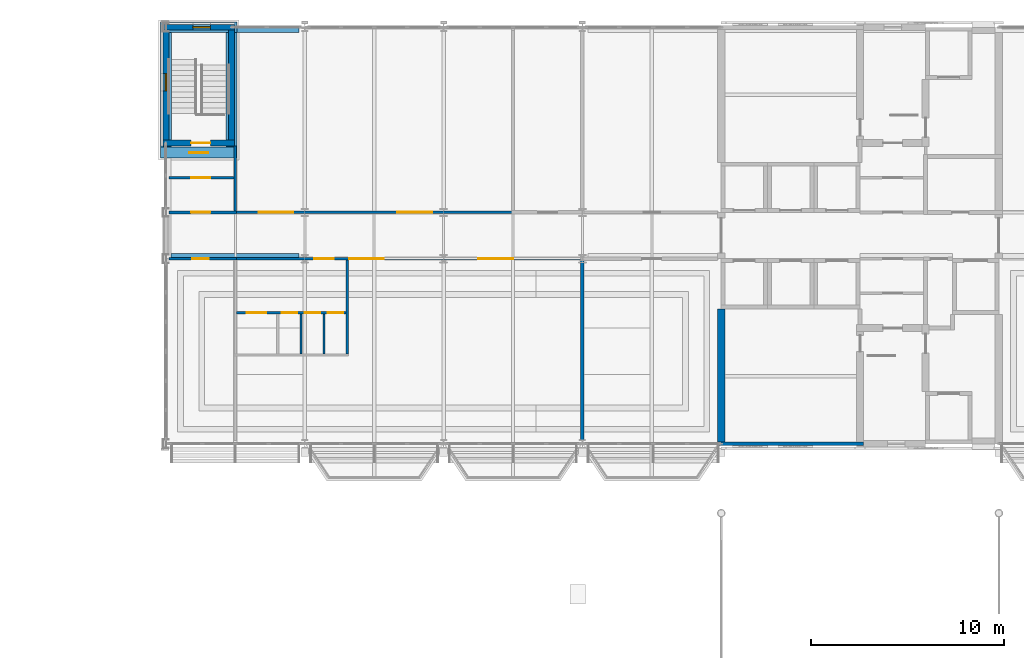
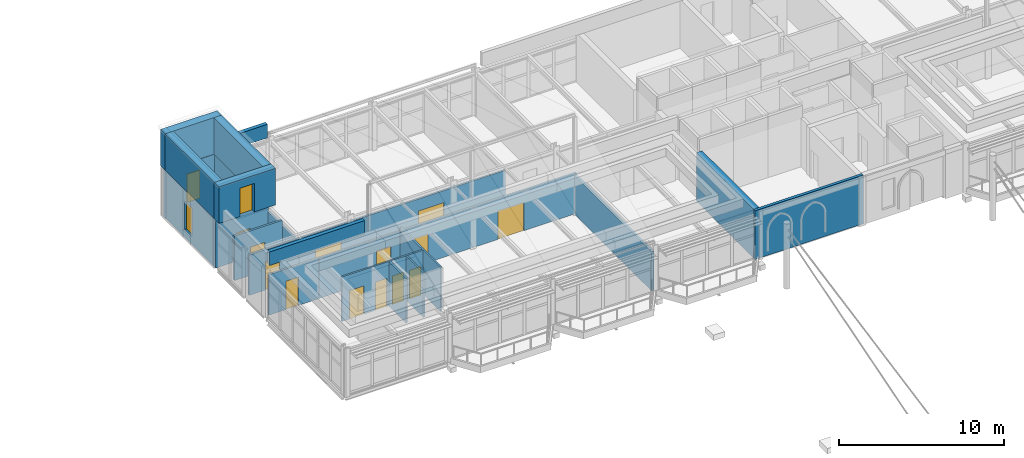
# One storey, part 49 of 68: 24 walls, 14 doors, 2 windows, 16 openings.
"""IFC4 building model written with IfcOpenShell, lengths in metres."""

from ifc_helpers import new_model, si_unit, direction, frame, frame_2d, origin, place, context, subcontext, project, spatial, rectangle, extrude, material, layer, layer_set, type_object, element, fill, save


model = new_model("IFC4")

# Units and contexts
model_context = context("Model", 3, precision=1e-05, world=origin(), true_north=direction((0.0, 1.0)))
body_context = subcontext(model_context, "Body", "Model", "MODEL_VIEW")
ifc_project = project(units=[si_unit("LENGTHUNIT", "METRE"), si_unit("AREAUNIT", "SQUARE_METRE"), si_unit("VOLUMEUNIT", "CUBIC_METRE"), si_unit("PLANEANGLEUNIT", "RADIAN"), si_unit("MASSUNIT", "GRAM", prefix="KILO")], contexts=[model_context])

# Site, building, storey
site_placement = place(None, origin())
site = spatial("IfcSite", under=ifc_project, at=site_placement, CompositionType="ELEMENT")
building_placement = place(site_placement, origin())
building = spatial("IfcBuilding", under=site, at=building_placement, Name="Kupolbacken Congress Centre", CompositionType="ELEMENT")
storey_placement = place(building_placement, frame((0.0, 0.0, 25.199951171875)))
storey = spatial("IfcBuildingStorey", under=building, at=storey_placement, Name="L07", CompositionType="ELEMENT", Elevation=25.199951171875)

# Wall, opening, door
ifc_material_1 = material(Name="Concrete C40/50", Category="concrete")
ifc_layer_1 = layer(ifc_material_1, 0.199951171875)
ifc_material_2 = material(Name="Mineral wool", Category="insulation")
ifc_layer_2 = layer(ifc_material_2, 0.199951171875)
ifc_material_3 = material(Name="Air cavity", Category="air")
ifc_layer_3 = layer(ifc_material_3, 0.0400390625, ventilated=True)
ifc_material_4 = material(Name="Limestone", Category="masonry")
ifc_layer_4 = layer(ifc_material_4, 0.1201171875)
ifc_layer_set_1 = layer_set([ifc_layer_1, ifc_layer_2, ifc_layer_3, ifc_layer_4], Name="Concrete C40/50 / Mineral wool / Limestone")
wall_type_1 = type_object("IfcWallType", Name="EW11 stair head-house wall 560", PredefinedType="SOLIDWALL", material=ifc_layer_set_1)
wall_1_placement = place(storey_placement, frame((64.52001953125, 137.5, 3.719970703125), z_axis=(0.0, 0.0, 1.0), x_axis=(1.0, 0.0, 0.0)))
wall_1 = element("IfcWall", 1, at=wall_1_placement, inside=storey, type_object=wall_type_1, Name="Stair head-house wall TS3", PredefinedType="SOLIDWALL", context=body_context, shape_type="SweptSolid", body=[
    extrude(rectangle(XDim=3.9599609375, YDim=0.56005859375, at=frame_2d((1.97998046875, 0.0))), origin(), (0.0, 0.0, 1.0), 2.7001953125),
])
opening_1_placement = place(wall_1_placement, frame((1.47998046875, 0.0, 0.0)))
opening_1 = element("IfcOpeningElement", 2, at=opening_1_placement, cuts=wall_1, Name="Opening TS3.R01", PredefinedType="OPENING", context=body_context, shape_type="SweptSolid", body=[
    extrude(rectangle(XDim=1.0, YDim=2.10009765625, at=frame_2d((0.5, 1.050048828125))), frame((0.0, 0.2900390625, 0.0), z_axis=(0.0, -1.0, 0.0), x_axis=(1.0, 0.0, 0.0)), (0.0, 0.0, 1.0), 0.580078125),
])
ifc_material_5 = material(Name="Steel fire door leaf", Category="steel")
door_type_1 = type_object("IfcDoorType", Name="D5 stair door 1000x2100", OperationType="SINGLE_SWING_LEFT", PredefinedType="DOOR", material=ifc_material_5)
door_1_placement = place(opening_1_placement, frame((1.0, 0.0, 0.0), z_axis=(0.0, 0.0, 1.0), x_axis=(-1.0, 0.0, 0.0)))
door_1 = element("IfcDoor", 3, at=door_1_placement, inside=storey, type_object=door_type_1, Name="Stair TS3 roof access door", OperationType="SINGLE_SWING_LEFT", OverallHeight=2.10009765625, OverallWidth=1.0, PredefinedType="DOOR", context=body_context, shape_type="SweptSolid", body=[
    extrude(rectangle(XDim=1.0, YDim=2.10009765625, at=frame_2d((0.5, 1.050048828125))), frame((0.0, 0.02490234375, 0.0), z_axis=(0.0, -1.0, 0.0), x_axis=(1.0, 0.0, 0.0)), (0.0, 0.0, 1.0), 0.050048828125),
])
fill(opening_1, door_1)

# Walls
wall_2_placement = place(storey_placement, frame((64.52001953125, 144.0, 3.719970703125), z_axis=(0.0, 0.0, 1.0), x_axis=(1.0, 0.0, 0.0)))
element("IfcWall", 4, at=wall_2_placement, inside=storey, type_object=wall_type_1, Name="Stair head-house wall TS3", PredefinedType="SOLIDWALL", context=body_context, shape_type="SweptSolid", body=[
    extrude(rectangle(XDim=3.9599609375, YDim=0.56005859375, at=frame_2d((1.97998046875, 0.0))), origin(), (0.0, 0.0, 1.0), 2.7001953125),
])
for number, where, z_axis, x_axis, name in (
    (5, (64.800048828125, 137.780029296875, 3.719970703125), (0.0, 0.0, 1.0), (0.0, 1.0, 0.0), "Stair head-house wall TS3"),
    (6, (68.199951171875, 137.780029296875, 3.719970703125), (0.0, 0.0, 1.0), (0.0, 1.0, 0.0), "Stair head-house wall TS3"),
):
    element("IfcWall", number, at=place(storey_placement, frame(where, z_axis=z_axis, x_axis=x_axis)), inside=storey, type_object=wall_type_1, Name=name, PredefinedType="SOLIDWALL", context=body_context, shape_type="SweptSolid", body=[
        extrude(rectangle(XDim=5.93994140625, YDim=0.56005859375, at=frame_2d((2.969970703125, 0.0))), origin(), (0.0, 0.0, 1.0), 2.7001953125),
    ])

# Wall, openings, doors
ifc_material_6 = material(Name="Gypsum board", Category="drywall")
ifc_layer_5 = layer(ifc_material_6, 0.114990234375)
ifc_layer_set_2 = layer_set([ifc_layer_5], Name="Gypsum board")
wall_type_2 = type_object("IfcWallType", Name="P04 partition 115", PredefinedType="PARTITIONING", material=ifc_layer_set_2)
wall_3_placement = place(storey_placement, frame((68.45751953125, 129.199951171875, 0.0), z_axis=(0.0, 0.0, 1.0), x_axis=(1.0, 0.0, 0.0)))
wall_3 = element("IfcWall", 7, at=wall_3_placement, inside=storey, type_object=wall_type_2, Name="T/wall/L07/x/12920/6840", PredefinedType="PARTITIONING", context=body_context, shape_type="SweptSolid", body=[
    extrude(rectangle(XDim=5.68505859375, YDim=0.114990234375, at=frame_2d((2.842529296875, 0.0))), origin(), (0.0, 0.0, 1.0), 3.2900390625),
])
opening_2_placement = place(wall_3_placement, frame((0.54248046875, 0.0, 0.0)))
opening_2 = element("IfcOpeningElement", 8, at=opening_2_placement, cuts=wall_3, Name="Opening D39", PredefinedType="OPENING", context=body_context, shape_type="SweptSolid", body=[
    extrude(rectangle(XDim=1.0, YDim=2.10009765625, at=frame_2d((0.5, 1.050048828125))), frame((0.0, 0.0673828125, 0.0), z_axis=(0.0, -1.0, 0.0), x_axis=(1.0, 0.0, 0.0)), (0.0, 0.0, 1.0), 0.135009765625),
])
opening_3_placement = place(wall_3_placement, frame((2.342529296875, 0.0, 0.0)))
opening_3 = element("IfcOpeningElement", 9, at=opening_3_placement, cuts=wall_3, Name="Opening D2", PredefinedType="OPENING", context=body_context, shape_type="SweptSolid", body=[
    extrude(rectangle(XDim=0.800048828125, YDim=2.10009765625, at=frame_2d((0.39990234375, 1.050048828125))), frame((0.0, 0.0673828125, 0.0), z_axis=(0.0, -1.0, 0.0), x_axis=(1.0, 0.0, 0.0)), (0.0, 0.0, 1.0), 0.135009765625),
])
opening_4_placement = place(wall_3_placement, frame((3.54248046875, 0.0, 0.0)))
opening_4 = element("IfcOpeningElement", 10, at=opening_4_placement, cuts=wall_3, Name="Opening D2", PredefinedType="OPENING", context=body_context, shape_type="SweptSolid", body=[
    extrude(rectangle(XDim=0.800048828125, YDim=2.10009765625, at=frame_2d((0.39990234375, 1.050048828125))), frame((0.0, 0.0673828125, 0.0), z_axis=(0.0, -1.0, 0.0), x_axis=(1.0, 0.0, 0.0)), (0.0, 0.0, 1.0), 0.135009765625),
])
opening_5_placement = place(wall_3_placement, frame((4.742431640625, 0.0, 0.0)))
opening_5 = element("IfcOpeningElement", 11, at=opening_5_placement, cuts=wall_3, Name="Opening D2", PredefinedType="OPENING", context=body_context, shape_type="SweptSolid", body=[
    extrude(rectangle(XDim=0.800048828125, YDim=2.10009765625, at=frame_2d((0.39990234375, 1.050048828125))), frame((0.0, 0.0673828125, 0.0), z_axis=(0.0, -1.0, 0.0), x_axis=(1.0, 0.0, 0.0)), (0.0, 0.0, 1.0), 0.135009765625),
])
ifc_material_7 = material(Name="Timber door leaf", Category="wood")
door_type_2 = type_object("IfcDoorType", Name="D2 door 800x2100", OperationType="SINGLE_SWING_LEFT", PredefinedType="DOOR", material=ifc_material_7)
door_2_placement = place(opening_3_placement, frame((0.800048828125, 0.0, 0.0), z_axis=(0.0, 0.0, 1.0), x_axis=(-1.0, 0.0, 0.0)))
door_2 = element("IfcDoor", 12, at=door_2_placement, inside=storey, type_object=door_type_2, Name="T/wall/L07/x/12920/6840/D-WT-DC1", OperationType="SINGLE_SWING_LEFT", OverallHeight=2.10009765625, OverallWidth=0.800048828125, PredefinedType="DOOR", context=body_context, shape_type="SweptSolid", body=[
    extrude(rectangle(XDim=0.800048828125, YDim=2.10009765625, at=frame_2d((0.39990234375, 1.050048828125))), frame((0.0, 0.02490234375, 0.0), z_axis=(0.0, -1.0, 0.0), x_axis=(1.0, 0.0, 0.0)), (0.0, 0.0, 1.0), 0.050048828125),
])
fill(opening_3, door_2)
door_3_placement = place(opening_4_placement, frame((0.800048828125, 0.0, 0.0), z_axis=(0.0, 0.0, 1.0), x_axis=(-1.0, 0.0, 0.0)))
door_3 = element("IfcDoor", 13, at=door_3_placement, inside=storey, type_object=door_type_2, Name="T/wall/L07/x/12920/6840/D-WT-DC2", OperationType="SINGLE_SWING_RIGHT", OverallHeight=2.10009765625, OverallWidth=0.800048828125, PredefinedType="DOOR", context=body_context, shape_type="SweptSolid", body=[
    extrude(rectangle(XDim=0.800048828125, YDim=2.10009765625, at=frame_2d((0.39990234375, 1.050048828125))), frame((0.0, 0.02490234375, 0.0), z_axis=(0.0, -1.0, 0.0), x_axis=(1.0, 0.0, 0.0)), (0.0, 0.0, 1.0), 0.050048828125),
])
fill(opening_4, door_3)
door_4_placement = place(opening_5_placement, frame((0.800048828125, 0.0, 0.0), z_axis=(0.0, 0.0, 1.0), x_axis=(-1.0, 0.0, 0.0)))
door_4 = element("IfcDoor", 14, at=door_4_placement, inside=storey, type_object=door_type_2, Name="T/wall/L07/x/12920/6840/D-WT-DC3", OperationType="SINGLE_SWING_RIGHT", OverallHeight=2.10009765625, OverallWidth=0.800048828125, PredefinedType="DOOR", context=body_context, shape_type="SweptSolid", body=[
    extrude(rectangle(XDim=0.800048828125, YDim=2.10009765625, at=frame_2d((0.39990234375, 1.050048828125))), frame((0.0, 0.02490234375, 0.0), z_axis=(0.0, -1.0, 0.0), x_axis=(1.0, 0.0, 0.0)), (0.0, 0.0, 1.0), 0.050048828125),
])
fill(opening_5, door_4)
ifc_material_8 = material(Name="Timber door leaf", Category="wood")
door_type_3 = type_object("IfcDoorType", Name="D39 door 1000x2100", OperationType="SINGLE_SWING_LEFT", PredefinedType="DOOR", material=ifc_material_8)
door_5_placement = place(opening_2_placement, frame((1.0, 0.0, 0.0), z_axis=(0.0, 0.0, 1.0), x_axis=(-1.0, 0.0, 0.0)))
door_5 = element("IfcDoor", 15, at=door_5_placement, inside=storey, type_object=door_type_3, Name="T/wall/L07/x/12920/6840/D-WT-DA", OperationType="SINGLE_SWING_LEFT", OverallHeight=2.10009765625, OverallWidth=1.0, PredefinedType="DOOR", context=body_context, shape_type="SweptSolid", body=[
    extrude(rectangle(XDim=1.0, YDim=2.10009765625, at=frame_2d((0.5, 1.050048828125))), frame((0.0, 0.02490234375, 0.0), z_axis=(0.0, -1.0, 0.0), x_axis=(1.0, 0.0, 0.0)), (0.0, 0.0, 1.0), 0.050048828125),
])
fill(opening_2, door_5)

# Wall, opening, door
wall_4_placement = place(storey_placement, frame((68.342529296875, 132.0, 0.0), z_axis=(0.0, 0.0, 1.0), x_axis=(1.0, 0.0, 0.0)))
wall_4 = element("IfcWall", 16, at=wall_4_placement, inside=storey, type_object=wall_type_2, Name="T/wall/L07/x/13200/6840", PredefinedType="PARTITIONING", context=body_context, shape_type="SweptSolid", body=[
    extrude(rectangle(XDim=5.9150390625, YDim=0.114990234375, at=frame_2d((2.95751953125, 0.0))), origin(), (0.0, 0.0, 1.0), 2.989990234375),
])
opening_6_placement = place(wall_4_placement, frame((4.157470703125, 0.0, 0.0)))
opening_6 = element("IfcOpeningElement", 17, at=opening_6_placement, cuts=wall_4, Name="Opening D39", PredefinedType="OPENING", context=body_context, shape_type="SweptSolid", body=[
    extrude(rectangle(XDim=1.0, YDim=2.10009765625, at=frame_2d((0.5, 1.050048828125))), frame((0.0, 0.0673828125, 0.0), z_axis=(0.0, -1.0, 0.0), x_axis=(1.0, 0.0, 0.0)), (0.0, 0.0, 1.0), 0.135009765625),
])
door_6_placement = place(opening_6_placement, origin())
door_6 = element("IfcDoor", 18, at=door_6_placement, inside=storey, type_object=door_type_3, Name="T/wall/L07/x/13200/6840/D-WT-DE", OperationType="SINGLE_SWING_RIGHT", OverallHeight=2.10009765625, OverallWidth=1.0, PredefinedType="DOOR", context=body_context, shape_type="SweptSolid", body=[
    extrude(rectangle(XDim=1.0, YDim=2.10009765625, at=frame_2d((0.5, 1.050048828125))), frame((0.0, 0.02490234375, 0.0), z_axis=(0.0, -1.0, 0.0), x_axis=(1.0, 0.0, 0.0)), (0.0, 0.0, 1.0), 0.050048828125),
])
fill(opening_6, door_6)

# Walls
for number, where, z_axis, x_axis, name in (
    (19, (71.800048828125, 127.0576171875, 0.0), (0.0, 0.0, 1.0), (0.0, 1.0, 0.0), "T/wall/L07/y/7180/12700"),
    (20, (73.0, 127.0576171875, 0.0), (0.0, 0.0, 1.0), (0.0, 1.0, 0.0), "T/wall/L07/y/7300/12700"),
):
    element("IfcWall", number, at=place(storey_placement, frame(where, z_axis=z_axis, x_axis=x_axis)), inside=storey, type_object=wall_type_2, Name=name, PredefinedType="PARTITIONING", context=body_context, shape_type="SweptSolid", body=[
        extrude(rectangle(XDim=2.0849609375, YDim=0.114990234375, at=frame_2d((1.04248046875, 0.0))), origin(), (0.0, 0.0, 1.0), 3.2900390625),
    ])
wall_5_placement = place(storey_placement, frame((74.199951171875, 127.0576171875, 0.0), z_axis=(0.0, 0.0, 1.0), x_axis=(0.0, 1.0, 0.0)))
element("IfcWall", 21, at=wall_5_placement, inside=storey, type_object=wall_type_2, Name="T/wall/L07/y/7420/12700", PredefinedType="PARTITIONING", context=body_context, shape_type="SweptSolid", body=[
    extrude(rectangle(XDim=4.875, YDim=0.114990234375, at=frame_2d((2.4375, 0.0))), origin(), (0.0, 0.0, 1.0), 3.2900390625),
])

# Wall, opening, door
ifc_material_9 = material(Name="Gypsum board", Category="drywall")
ifc_layer_6 = layer(ifc_material_9, 0.135009765625)
ifc_layer_set_3 = layer_set([ifc_layer_6], Name="Gypsum board")
wall_type_3 = type_object("IfcWallType", Name="P06 compartment wall 135", PredefinedType="PARTITIONING", material=ifc_layer_set_3)
wall_6_placement = place(storey_placement, frame((64.969970703125, 132.0, 0.0), z_axis=(0.0, 0.0, 1.0), x_axis=(1.0, 0.0, 0.0)))
wall_6 = element("IfcWall", 22, at=wall_6_placement, inside=storey, type_object=wall_type_3, Name="T/wall/L07/x/13200/6480", PredefinedType="PARTITIONING", context=body_context, shape_type="SweptSolid", body=[
    extrude(rectangle(XDim=3.487548828125, YDim=0.135009765625, at=frame_2d((1.74365234375, 0.0))), origin(), (0.0, 0.0, 1.0), 2.989990234375),
])
opening_7_placement = place(wall_6_placement, frame((1.205078125, 0.0, 0.0)))
opening_7 = element("IfcOpeningElement", 23, at=opening_7_placement, cuts=wall_6, Name="Opening D3", PredefinedType="OPENING", context=body_context, shape_type="SweptSolid", body=[
    extrude(rectangle(XDim=0.85009765625, YDim=2.10009765625, at=frame_2d((0.425048828125, 1.050048828125))), frame((0.0, 0.077392578125, 0.0), z_axis=(0.0, -1.0, 0.0), x_axis=(1.0, 0.0, 0.0)), (0.0, 0.0, 1.0), 0.155029296875),
])
ifc_material_10 = material(Name="Steel fire door leaf", Category="steel")
door_type_4 = type_object("IfcDoorType", Name="D3 fire door 850x2100", OperationType="SINGLE_SWING_LEFT", PredefinedType="DOOR", material=ifc_material_10)
door_7_placement = place(opening_7_placement, frame((0.85009765625, 0.0, 0.0), z_axis=(0.0, 0.0, 1.0), x_axis=(-1.0, 0.0, 0.0)))
door_7 = element("IfcDoor", 24, at=door_7_placement, inside=storey, type_object=door_type_4, Name="T/wall/L07/x/13200/6480/D-WE-D", OperationType="SINGLE_SWING_RIGHT", OverallHeight=2.10009765625, OverallWidth=0.85009765625, PredefinedType="DOOR", context=body_context, shape_type="SweptSolid", body=[
    extrude(rectangle(XDim=0.85009765625, YDim=2.10009765625, at=frame_2d((0.425048828125, 1.050048828125))), frame((0.0, 0.02490234375, 0.0), z_axis=(0.0, -1.0, 0.0), x_axis=(1.0, 0.0, 0.0)), (0.0, 0.0, 1.0), 0.050048828125),
])
fill(opening_7, door_7)

# Wall, openings, doors
wall_7_placement = place(storey_placement, frame((74.142578125, 132.0, 0.0), z_axis=(0.0, 0.0, 1.0), x_axis=(1.0, 0.0, 0.0)))
wall_7 = element("IfcWall", 25, at=wall_7_placement, inside=storey, type_object=wall_type_3, Name="T/wall/L07/x/13200/7420", PredefinedType="PARTITIONING", context=body_context, shape_type="SweptSolid", body=[
    extrude(rectangle(XDim=12.344970703125, YDim=0.135009765625, at=frame_2d((6.17236328125, 0.0))), origin(), (0.0, 0.0, 1.0), 2.989990234375),
])
opening_8_placement = place(wall_7_placement, frame((0.157470703125, 0.0, 0.0)))
opening_8 = element("IfcOpeningElement", 26, at=opening_8_placement, cuts=wall_7, Name="Opening D14", PredefinedType="OPENING", context=body_context, shape_type="SweptSolid", body=[
    extrude(rectangle(XDim=1.800048828125, YDim=2.10009765625, at=frame_2d((0.89990234375, 1.050048828125))), frame((0.0, 0.077392578125, 0.0), z_axis=(0.0, -1.0, 0.0), x_axis=(1.0, 0.0, 0.0)), (0.0, 0.0, 1.0), 0.155029296875),
])
opening_9_placement = place(wall_7_placement, frame((6.857421875, 0.0, 0.0)))
opening_9 = element("IfcOpeningElement", 27, at=opening_9_placement, cuts=wall_7, Name="Opening D14", PredefinedType="OPENING", context=body_context, shape_type="SweptSolid", body=[
    extrude(rectangle(XDim=1.800048828125, YDim=2.10009765625, at=frame_2d((0.89990234375, 1.050048828125))), frame((0.0, 0.077392578125, 0.0), z_axis=(0.0, -1.0, 0.0), x_axis=(1.0, 0.0, 0.0)), (0.0, 0.0, 1.0), 0.155029296875),
])
ifc_material_11 = material(Name="Steel fire door leaf", Category="steel")
door_type_5 = type_object("IfcDoorType", Name="D14 fire door 1800x2100", OperationType="DOUBLE_DOOR_SINGLE_SWING", PredefinedType="DOOR", material=ifc_material_11)
door_8_placement = place(opening_8_placement, origin())
door_8 = element("IfcDoor", 28, at=door_8_placement, inside=storey, type_object=door_type_5, Name="T/wall/L07/x/13200/7420/D-TRS1-S1", OperationType="DOUBLE_DOOR_SINGLE_SWING", OverallHeight=2.10009765625, OverallWidth=1.800048828125, PredefinedType="DOOR", context=body_context, shape_type="SweptSolid", body=[
    extrude(rectangle(XDim=1.800048828125, YDim=2.10009765625, at=frame_2d((0.89990234375, 1.050048828125))), frame((0.0, 0.02490234375, 0.0), z_axis=(0.0, -1.0, 0.0), x_axis=(1.0, 0.0, 0.0)), (0.0, 0.0, 1.0), 0.050048828125),
])
fill(opening_8, door_8)
door_9_placement = place(opening_9_placement, origin())
door_9 = element("IfcDoor", 29, at=door_9_placement, inside=storey, type_object=door_type_5, Name="T/wall/L07/x/13200/7420/D-TRS1-S2", OperationType="DOUBLE_DOOR_SINGLE_SWING", OverallHeight=2.10009765625, OverallWidth=1.800048828125, PredefinedType="DOOR", context=body_context, shape_type="SweptSolid", body=[
    extrude(rectangle(XDim=1.800048828125, YDim=2.10009765625, at=frame_2d((0.89990234375, 1.050048828125))), frame((0.0, 0.02490234375, 0.0), z_axis=(0.0, -1.0, 0.0), x_axis=(1.0, 0.0, 0.0)), (0.0, 0.0, 1.0), 0.050048828125),
])
fill(opening_9, door_9)

wall_8_placement = place(storey_placement, frame((68.330078125, 134.39990234375, 0.0), z_axis=(0.0, 0.0, 1.0), x_axis=(1.0, 0.0, 0.0)))
wall_8 = element("IfcWall", 30, at=wall_8_placement, inside=storey, type_object=wall_type_3, Name="T/wall/L07/x/13440/6840", PredefinedType="PARTITIONING", context=body_context, shape_type="SweptSolid", body=[
    extrude(rectangle(XDim=14.557373046875, YDim=0.135009765625, at=frame_2d((7.27880859375, 0.0))), origin(), (0.0, 0.0, 1.0), 2.989990234375),
])
opening_10_placement = place(wall_8_placement, frame((1.27001953125, 0.0, 0.0)))
opening_10 = element("IfcOpeningElement", 31, at=opening_10_placement, cuts=wall_8, Name="Opening D14", PredefinedType="OPENING", context=body_context, shape_type="SweptSolid", body=[
    extrude(rectangle(XDim=1.800048828125, YDim=2.10009765625, at=frame_2d((0.89990234375, 1.050048828125))), frame((0.0, 0.077392578125, 0.0), z_axis=(0.0, -1.0, 0.0), x_axis=(1.0, 0.0, 0.0)), (0.0, 0.0, 1.0), 0.155029296875),
])
opening_11_placement = place(wall_8_placement, frame((8.469970703125, 0.0, 0.0)))
opening_11 = element("IfcOpeningElement", 32, at=opening_11_placement, cuts=wall_8, Name="Opening D14", PredefinedType="OPENING", context=body_context, shape_type="SweptSolid", body=[
    extrude(rectangle(XDim=1.800048828125, YDim=2.10009765625, at=frame_2d((0.89990234375, 1.050048828125))), frame((0.0, 0.077392578125, 0.0), z_axis=(0.0, -1.0, 0.0), x_axis=(1.0, 0.0, 0.0)), (0.0, 0.0, 1.0), 0.155029296875),
])
door_10_placement = place(opening_10_placement, frame((1.800048828125, 0.0, 0.0), z_axis=(0.0, 0.0, 1.0), x_axis=(-1.0, 0.0, 0.0)))
door_10 = element("IfcDoor", 33, at=door_10_placement, inside=storey, type_object=door_type_5, Name="T/wall/L07/x/13440/6840/D-SKL-S1", OperationType="DOUBLE_DOOR_SINGLE_SWING", OverallHeight=2.10009765625, OverallWidth=1.800048828125, PredefinedType="DOOR", context=body_context, shape_type="SweptSolid", body=[
    extrude(rectangle(XDim=1.800048828125, YDim=2.10009765625, at=frame_2d((0.89990234375, 1.050048828125))), frame((0.0, 0.02490234375, 0.0), z_axis=(0.0, -1.0, 0.0), x_axis=(1.0, 0.0, 0.0)), (0.0, 0.0, 1.0), 0.050048828125),
])
fill(opening_10, door_10)
door_11_placement = place(opening_11_placement, frame((1.800048828125, 0.0, 0.0), z_axis=(0.0, 0.0, 1.0), x_axis=(-1.0, 0.0, 0.0)))
door_11 = element("IfcDoor", 34, at=door_11_placement, inside=storey, type_object=door_type_5, Name="T/wall/L07/x/13440/6840/D-SKL-S2", OperationType="DOUBLE_DOOR_SINGLE_SWING", OverallHeight=2.10009765625, OverallWidth=1.800048828125, PredefinedType="DOOR", context=body_context, shape_type="SweptSolid", body=[
    extrude(rectangle(XDim=1.800048828125, YDim=2.10009765625, at=frame_2d((0.89990234375, 1.050048828125))), frame((0.0, 0.02490234375, 0.0), z_axis=(0.0, -1.0, 0.0), x_axis=(1.0, 0.0, 0.0)), (0.0, 0.0, 1.0), 0.050048828125),
])
fill(opening_11, door_11)

# Wall
ifc_material_12 = material(Name="Gypsum board", Category="drywall")
ifc_layer_7 = layer(ifc_material_12, 0.175048828125)
ifc_layer_set_4 = layer_set([ifc_layer_7], Name="Gypsum board")
wall_type_4 = type_object("IfcWallType", Name="P09 partition 175", PredefinedType="PARTITIONING", material=ifc_layer_set_4)
wall_9_placement = place(storey_placement, frame((86.39990234375, 122.570068359375, 0.0), z_axis=(0.0, 0.0, 1.0), x_axis=(0.0, 1.0, 0.0)))
element("IfcWall", 35, at=wall_9_placement, inside=storey, type_object=wall_type_4, Name="T/wall/L07/y/8640/12240", PredefinedType="PARTITIONING", context=body_context, shape_type="SweptSolid", body=[
    extrude(rectangle(XDim=9.342529296875, YDim=0.175048828125, at=frame_2d((4.67138671875, 0.0))), origin(), (0.0, 0.0, 1.0), 2.89013671875),
])

# Wall, opening, door
ifc_material_13 = material(Name="Aerated concrete block", Category="masonry")
ifc_layer_8 = layer(ifc_material_13, 0.139892578125)
ifc_layer_set_5 = layer_set([ifc_layer_8], Name="Aerated concrete block")
wall_type_5 = type_object("IfcWallType", Name="P14 compartment wall 140", PredefinedType="PARTITIONING", material=ifc_layer_set_5)
wall_10_placement = place(storey_placement, frame((64.969970703125, 134.39990234375, 0.0), z_axis=(0.0, 0.0, 1.0), x_axis=(1.0, 0.0, 0.0)))
wall_10 = element("IfcWall", 36, at=wall_10_placement, inside=storey, type_object=wall_type_5, Name="T/wall/L07/x/13440/6480", PredefinedType="PARTITIONING", context=body_context, shape_type="SweptSolid", body=[
    extrude(rectangle(XDim=3.5, YDim=0.139892578125, at=frame_2d((1.75, 0.0))), origin(), (0.0, 0.0, 1.0), 2.989990234375),
])
opening_12_placement = place(wall_10_placement, frame((1.1298828125, 0.0, 0.0)))
opening_12 = element("IfcOpeningElement", 37, at=opening_12_placement, cuts=wall_10, Name="Opening D5", PredefinedType="OPENING", context=body_context, shape_type="SweptSolid", body=[
    extrude(rectangle(XDim=1.0, YDim=2.10009765625, at=frame_2d((0.5, 1.050048828125))), frame((0.0, 0.079833984375, 0.0), z_axis=(0.0, -1.0, 0.0), x_axis=(1.0, 0.0, 0.0)), (0.0, 0.0, 1.0), 0.159912109375),
])
door_12_placement = place(opening_12_placement, frame((1.0, 0.0, 0.0), z_axis=(0.0, 0.0, 1.0), x_axis=(-1.0, 0.0, 0.0)))
door_12 = element("IfcDoor", 38, at=door_12_placement, inside=storey, type_object=door_type_1, Name="T/wall/L07/x/13440/6480/D-TS3-LK3", OperationType="SINGLE_SWING_LEFT", OverallHeight=2.10009765625, OverallWidth=1.0, PredefinedType="DOOR", context=body_context, shape_type="SweptSolid", body=[
    extrude(rectangle(XDim=1.0, YDim=2.10009765625, at=frame_2d((0.5, 1.050048828125))), frame((0.0, 0.02490234375, 0.0), z_axis=(0.0, -1.0, 0.0), x_axis=(1.0, 0.0, 0.0)), (0.0, 0.0, 1.0), 0.050048828125),
])
fill(opening_12, door_12)

wall_11_placement = place(storey_placement, frame((64.969970703125, 136.199951171875, 0.0), z_axis=(0.0, 0.0, 1.0), x_axis=(1.0, 0.0, 0.0)))
wall_11 = element("IfcWall", 39, at=wall_11_placement, inside=storey, type_object=wall_type_5, Name="T/wall/L07/x/13620/6480", PredefinedType="PARTITIONING", context=body_context, shape_type="SweptSolid", body=[
    extrude(rectangle(XDim=3.360107421875, YDim=0.139892578125, at=frame_2d((1.68017578125, 0.0))), origin(), (0.0, 0.0, 1.0), 3.2900390625),
])
opening_13_placement = place(wall_11_placement, frame((1.1298828125, 0.0, 0.0)))
opening_13 = element("IfcOpeningElement", 40, at=opening_13_placement, cuts=wall_11, Name="Opening D5", PredefinedType="OPENING", context=body_context, shape_type="SweptSolid", body=[
    extrude(rectangle(XDim=1.0, YDim=2.10009765625, at=frame_2d((0.5, 1.050048828125))), frame((0.0, 0.079833984375, 0.0), z_axis=(0.0, -1.0, 0.0), x_axis=(1.0, 0.0, 0.0)), (0.0, 0.0, 1.0), 0.159912109375),
])
door_13_placement = place(opening_13_placement, frame((1.0, 0.0, 0.0), z_axis=(0.0, 0.0, 1.0), x_axis=(-1.0, 0.0, 0.0)))
door_13 = element("IfcDoor", 41, at=door_13_placement, inside=storey, type_object=door_type_1, Name="T/wall/L07/x/13620/6480/D-TS3-LK2", OperationType="SINGLE_SWING_LEFT", OverallHeight=2.10009765625, OverallWidth=1.0, PredefinedType="DOOR", context=body_context, shape_type="SweptSolid", body=[
    extrude(rectangle(XDim=1.0, YDim=2.10009765625, at=frame_2d((0.5, 1.050048828125))), frame((0.0, 0.02490234375, 0.0), z_axis=(0.0, -1.0, 0.0), x_axis=(1.0, 0.0, 0.0)), (0.0, 0.0, 1.0), 0.050048828125),
])
fill(opening_13, door_13)

# Walls
wall_12_placement = place(storey_placement, frame((68.39990234375, 134.469970703125, 0.0), z_axis=(0.0, 0.0, 1.0), x_axis=(0.0, 1.0, 0.0)))
element("IfcWall", 42, at=wall_12_placement, inside=storey, type_object=wall_type_5, Name="T/wall/L07/y/6840/13440", PredefinedType="PARTITIONING", context=body_context, shape_type="SweptSolid", body=[
    extrude(rectangle(XDim=3.380126953125, YDim=0.139892578125, at=frame_2d((1.68994140625, 0.0))), origin(), (0.0, 0.0, 1.0), 2.89013671875),
])
ifc_material_14 = material(Name="Brick", Category="masonry")
ifc_layer_9 = layer(ifc_material_14, 0.10791015625)
ifc_material_15 = material(Name="Concrete block", Category="masonry")
ifc_layer_10 = layer(ifc_material_15, 0.152099609375)
ifc_layer_set_6 = layer_set([ifc_layer_9, ifc_layer_10], Name="Brick / Concrete block")
wall_type_6 = type_object("IfcWallType", Name="PW2 parapet 260", PredefinedType="PARAPET", material=ifc_layer_set_6)
wall_13_placement = place(storey_placement, frame((65.06005859375, 132.1298828125, 3.60009765625), z_axis=(0.0, 0.0, 1.0), x_axis=(1.0, 0.0, 0.0)))
element("IfcWall", 43, at=wall_13_placement, inside=storey, type_object=wall_type_6, Name="E/T/parapet/S1", PredefinedType="PARAPET", context=body_context, shape_type="SweptSolid", body=[
    extrude(rectangle(XDim=6.639892578125, YDim=0.260009765625, at=frame_2d((3.31982421875, 0.0))), origin(), (0.0, 0.0, 1.0), 1.0),
])
wall_14_placement = place(storey_placement, frame((68.47998046875, 143.8701171875, 3.60009765625), z_axis=(0.0, 0.0, 1.0), x_axis=(1.0, 0.0, 0.0)))
element("IfcWall", 44, at=wall_14_placement, inside=storey, type_object=wall_type_6, Name="E/T/parapet/N1", PredefinedType="PARAPET", context=body_context, shape_type="SweptSolid", body=[
    extrude(rectangle(XDim=3.219970703125, YDim=0.260009765625, at=frame_2d((1.60986328125, 0.0))), origin(), (0.0, 0.0, 1.0), 1.0),
])
ifc_material_16 = material(Name="Concrete C40/50", Category="concrete")
ifc_layer_11 = layer(ifc_material_16, 0.199951171875)
ifc_layer_set_7 = layer_set([ifc_layer_11], Name="Concrete C40/50")
wall_type_7 = type_object("IfcWallType", Name="WC1 RC shaft wall 200", PredefinedType="SHEAR", material=ifc_layer_set_7)
wall_15_placement = place(storey_placement, frame((93.39990234375, 122.39990234375, 0.0), z_axis=(0.0, 0.0, 1.0), x_axis=(1.0, 0.0, 0.0)))
element("IfcWall", 45, at=wall_15_placement, inside=storey, type_object=wall_type_7, Name="Shaft wall L07-078", PredefinedType="SHEAR", context=body_context, shape_type="SweptSolid", body=[
    extrude(rectangle(XDim=7.5751953125, YDim=0.199951171875, at=frame_2d((3.78759765625, 0.0))), origin(), (0.0, 0.0, 1.0), 3.60009765625),
])

# Wall, opening, door
ifc_material_17 = material(Name="Concrete C40/50", Category="concrete")
ifc_layer_12 = layer(ifc_material_17, 0.300048828125)
ifc_layer_set_8 = layer_set([ifc_layer_12], Name="Concrete C40/50")
wall_type_8 = type_object("IfcWallType", Name="WC3 RC core wall 300", PredefinedType="SHEAR", material=ifc_layer_set_8)
wall_16_placement = place(storey_placement, frame((64.64990234375, 138.0, 0.0), z_axis=(0.0, 0.0, 1.0), x_axis=(1.0, 0.0, 0.0)))
wall_16 = element("IfcWall", 46, at=wall_16_placement, inside=storey, type_object=wall_type_8, Name="Core wall L07-118", PredefinedType="SHEAR", context=body_context, shape_type="SweptSolid", body=[
    extrude(rectangle(XDim=3.7001953125, YDim=0.300048828125, at=frame_2d((1.85009765625, 0.0))), origin(), (0.0, 0.0, 1.0), 3.60009765625),
])
opening_14_placement = place(wall_16_placement, frame((1.449951171875, 0.0, 0.0)))
opening_14 = element("IfcOpeningElement", 47, at=opening_14_placement, cuts=wall_16, Name="Opening D5", PredefinedType="OPENING", context=body_context, shape_type="SweptSolid", body=[
    extrude(rectangle(XDim=1.0, YDim=2.10009765625, at=frame_2d((0.5, 1.050048828125))), frame((0.0, 0.159912109375, 0.0), z_axis=(0.0, -1.0, 0.0), x_axis=(1.0, 0.0, 0.0)), (0.0, 0.0, 1.0), 0.320068359375),
])
door_14_placement = place(opening_14_placement, origin())
door_14 = element("IfcDoor", 48, at=door_14_placement, inside=storey, type_object=door_type_1, Name="S/core/L07/118/D-TS3-LK1", OperationType="SINGLE_SWING_LEFT", OverallHeight=2.10009765625, OverallWidth=1.0, PredefinedType="DOOR", context=body_context, shape_type="SweptSolid", body=[
    extrude(rectangle(XDim=1.0, YDim=2.10009765625, at=frame_2d((0.5, 1.050048828125))), frame((0.0, 0.02490234375, 0.0), z_axis=(0.0, -1.0, 0.0), x_axis=(1.0, 0.0, 0.0)), (0.0, 0.0, 1.0), 0.050048828125),
])
fill(opening_14, door_14)

# Wall
wall_17_placement = place(storey_placement, frame((68.199951171875, 137.85009765625, 0.0), z_axis=(0.0, 0.0, 1.0), x_axis=(0.0, 1.0, 0.0)))
element("IfcWall", 49, at=wall_17_placement, inside=storey, type_object=wall_type_8, Name="Core wall L07-119", PredefinedType="SHEAR", context=body_context, shape_type="SweptSolid", body=[
    extrude(rectangle(XDim=6.2998046875, YDim=0.300048828125, at=frame_2d((3.14990234375, 0.0))), origin(), (0.0, 0.0, 1.0), 3.60009765625),
])

# Wall, opening, window
wall_18_placement = place(storey_placement, frame((64.800048828125, 144.14990234375, 0.0), z_axis=(0.0, 0.0, 1.0), x_axis=(0.0, -1.0, 0.0)))
wall_18 = element("IfcWall", 50, at=wall_18_placement, inside=storey, type_object=wall_type_8, Name="Core wall L07-124", PredefinedType="SHEAR", context=body_context, shape_type="SweptSolid", body=[
    extrude(rectangle(XDim=6.2998046875, YDim=0.300048828125, at=frame_2d((3.14990234375, 0.0))), origin(), (0.0, 0.0, 1.0), 3.60009765625),
])
opening_15_placement = place(wall_18_placement, frame((2.550048828125, 0.0, 0.60009765625)))
opening_15 = element("IfcOpeningElement", 51, at=opening_15_placement, cuts=wall_18, Name="Opening W28", PredefinedType="OPENING", context=body_context, shape_type="SweptSolid", body=[
    extrude(rectangle(XDim=0.89990234375, YDim=2.10009765625, at=frame_2d((0.449951171875, 1.050048828125))), frame((0.0, 0.159912109375, 0.0), z_axis=(0.0, -1.0, 0.0), x_axis=(1.0, 0.0, 0.0)), (0.0, 0.0, 1.0), 0.320068359375),
])
ifc_material_18 = material(Name="Aluminium frame with double or triple glazing", Category="aluminium")
window_type = type_object("IfcWindowType", Name="W28 window 900x2100", PartitioningType="SINGLE_PANEL", PredefinedType="WINDOW", material=ifc_material_18)
window_1_placement = place(opening_15_placement, origin())
window_1 = element("IfcWindow", 52, at=window_1_placement, inside=storey, type_object=window_type, Name="S/core/L07/124/WW28", OverallHeight=2.10009765625, OverallWidth=0.89990234375, PartitioningType="SINGLE_PANEL", PredefinedType="WINDOW", context=body_context, shape_type="SweptSolid", body=[
    extrude(rectangle(XDim=0.89990234375, YDim=2.10009765625, at=frame_2d((0.449951171875, 1.050048828125))), frame((0.0, 0.030029296875, 0.0), z_axis=(0.0, -1.0, 0.0), x_axis=(1.0, 0.0, 0.0)), (0.0, 0.0, 1.0), 0.06005859375),
])
fill(opening_15, window_1)

wall_19_placement = place(storey_placement, frame((68.35009765625, 144.0, 0.0), z_axis=(0.0, 0.0, 1.0), x_axis=(-1.0, 0.0, 0.0)))
wall_19 = element("IfcWall", 53, at=wall_19_placement, inside=storey, type_object=wall_type_8, Name="Core wall L07-125", PredefinedType="SHEAR", context=body_context, shape_type="SweptSolid", body=[
    extrude(rectangle(XDim=3.7001953125, YDim=0.300048828125, at=frame_2d((1.85009765625, 0.0))), origin(), (0.0, 0.0, 1.0), 3.60009765625),
])
opening_16_placement = place(wall_19_placement, frame((1.25, 0.0, 0.60009765625)))
opening_16 = element("IfcOpeningElement", 54, at=opening_16_placement, cuts=wall_19, Name="Opening W28", PredefinedType="OPENING", context=body_context, shape_type="SweptSolid", body=[
    extrude(rectangle(XDim=0.89990234375, YDim=2.10009765625, at=frame_2d((0.449951171875, 1.050048828125))), frame((0.0, 0.159912109375, 0.0), z_axis=(0.0, -1.0, 0.0), x_axis=(1.0, 0.0, 0.0)), (0.0, 0.0, 1.0), 0.320068359375),
])
window_2_placement = place(opening_16_placement, origin())
window_2 = element("IfcWindow", 55, at=window_2_placement, inside=storey, type_object=window_type, Name="S/core/L07/125/WW28", OverallHeight=2.10009765625, OverallWidth=0.89990234375, PartitioningType="SINGLE_PANEL", PredefinedType="WINDOW", context=body_context, shape_type="SweptSolid", body=[
    extrude(rectangle(XDim=0.89990234375, YDim=2.10009765625, at=frame_2d((0.449951171875, 1.050048828125))), frame((0.0, 0.030029296875, 0.0), z_axis=(0.0, -1.0, 0.0), x_axis=(1.0, 0.0, 0.0)), (0.0, 0.0, 1.0), 0.06005859375),
])
fill(opening_16, window_2)

# Wall
ifc_material_19 = material(Name="Concrete C40/50", Category="concrete")
ifc_layer_13 = layer(ifc_material_19, 0.39990234375)
ifc_layer_set_9 = layer_set([ifc_layer_13], Name="Concrete C40/50")
wall_type_9 = type_object("IfcWallType", Name="WC5 RC core wall 400", PredefinedType="SHEAR", material=ifc_layer_set_9)
wall_20_placement = place(storey_placement, frame((93.60009765625, 129.39990234375, 0.0), z_axis=(0.0, 0.0, 1.0), x_axis=(0.0, -1.0, 0.0)))
element("IfcWall", 56, at=wall_20_placement, inside=storey, type_object=wall_type_9, Name="Core wall L07-100", PredefinedType="SHEAR", context=body_context, shape_type="SweptSolid", body=[
    extrude(rectangle(XDim=7.099853515625, YDim=0.39990234375, at=frame_2d((3.5498046875, 0.0))), origin(), (0.0, 0.0, 1.0), 3.60009765625),
])

save(model, "model.ifc")
